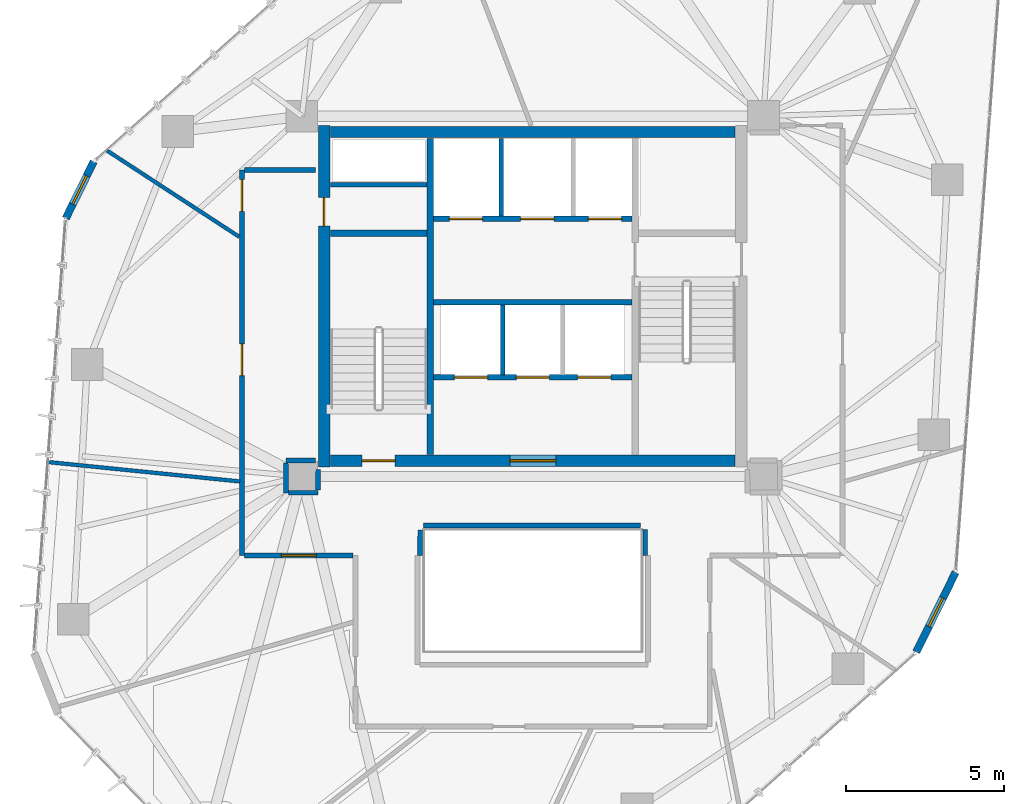
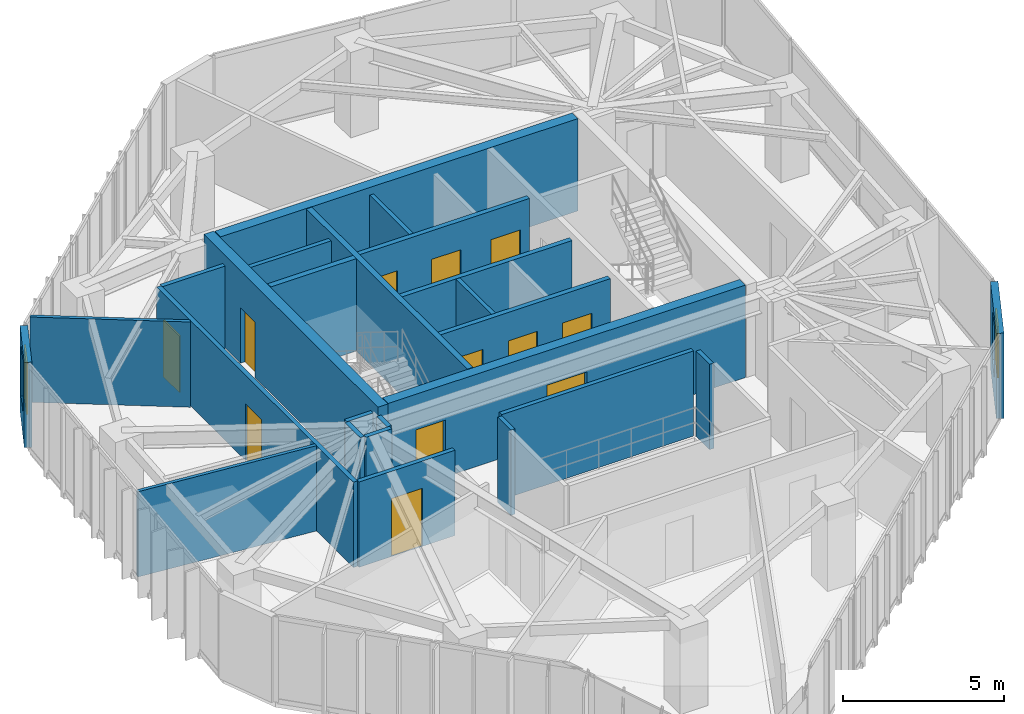
# One storey, part 16 of 19: 25 walls, 12 doors, 2 windows, 14 openings.
"""IFC4 building model written with IfcOpenShell, lengths in metres."""

from ifc_helpers import new_model, si_unit, direction, frame, frame_2d, origin, place, context, subcontext, project, spatial, rectangle, extrude, source, transform, mapped, material, layer, layer_set, type_object, type_shapes, element, fill, save


model = new_model("IFC4")

# Units and contexts
model_context = context("Model", 3, precision=1e-05, world=origin(), true_north=direction((0.0, 1.0)))
body_context = subcontext(model_context, "Body", "Model", "MODEL_VIEW")
ifc_project = project(units=[si_unit("LENGTHUNIT", "METRE"), si_unit("AREAUNIT", "SQUARE_METRE"), si_unit("VOLUMEUNIT", "CUBIC_METRE"), si_unit("PLANEANGLEUNIT", "RADIAN"), si_unit("MASSUNIT", "GRAM", prefix="KILO")], contexts=[model_context])

# Site, building, storey
site_placement = place(None, origin())
site = spatial("IfcSite", under=ifc_project, at=site_placement, CompositionType="ELEMENT")
building_placement = place(site_placement, origin())
building = spatial("IfcBuilding", under=site, at=building_placement, Name="Talar Marvaseh", CompositionType="ELEMENT")
storey_placement = place(building_placement, frame((0.0, 0.0, 222.199951171875)))
storey = spatial("IfcBuildingStorey", under=building, at=storey_placement, Name="L58", CompositionType="ELEMENT", Elevation=222.199951171875)

# Wall, opening, window
ifc_material_1 = material(Name="Precast concrete C45/55", Category="concrete")
ifc_layer_1 = layer(ifc_material_1, 0.239990234375)
ifc_layer_set_1 = layer_set([ifc_layer_1], Name="Precast concrete C45/55")
wall_type_1 = type_object("IfcWallType", Name="Chamfered Hexagonal Corner Pier Wall Z3 240", PredefinedType="SOLIDWALL", material=ifc_layer_set_1)
wall_1_placement = place(storey_placement, frame((11.2294921875, 33.667236328125, 0.0), z_axis=(0.0, 0.0, 1.0), x_axis=(0.442185041508, 0.896923847975, 0.0)))
wall_1 = element("IfcWall", 1, at=wall_1_placement, inside=storey, type_object=wall_type_1, Name="L58 Chamfered Corner Limestone Pier 3", PredefinedType="SOLIDWALL", context=body_context, shape_type="SweptSolid", body=[
    extrude(rectangle(XDim=2.003173828125, YDim=0.239990234375, at=frame_2d((1.00146484375, 0.0))), origin(), (0.0, 0.0, 1.0), 3.22998046875),
])
opening_1_placement = place(wall_1_placement, frame((0.501953125, 0.0, 0.89990234375)))
opening_1 = element("IfcOpeningElement", 2, at=opening_1_placement, cuts=wall_1, Name="Opening WN-CHM10", PredefinedType="OPENING", context=body_context, shape_type="SweptSolid", body=[
    extrude(rectangle(XDim=1.0, YDim=1.949951171875, at=frame_2d((0.5, 0.97509765625))), frame((0.0, 0.1298828125, 0.0), z_axis=(0.0, -1.0, 0.0), x_axis=(1.0, 0.0, 0.0)), (0.0, 0.0, 1.0), 0.260009765625),
])
ifc_material_2 = material(Name="Laminated Low-E Solar Glass", Category="glass")
window_type = type_object("IfcWindowType", Name="Zone 3 Chamfered Corner Slot Window 1000x1950", PartitioningType="SINGLE_PANEL", PredefinedType="WINDOW", material=ifc_material_2)
shared_shape_1 = source(origin(), body_context, "Body", "SweptSolid", [
    extrude(rectangle(XDim=1.0, YDim=1.949951171875, at=frame_2d((0.5, 0.97509765625))), frame((0.0, 0.030029296875, 0.0), z_axis=(0.0, -1.0, 0.0), x_axis=(1.0, 0.0, 0.0)), (0.0, 0.0, 1.0), 0.06005859375),
])
type_shapes(window_type, [shared_shape_1])
window_1_placement = place(opening_1_placement, origin())
window_1 = element("IfcWindow", 3, at=window_1_placement, inside=storey, type_object=window_type, Name="L58 Chamfered Corner Slot Window", OverallHeight=1.949951171875, OverallWidth=1.0, PartitioningType="SINGLE_PANEL", PredefinedType="WINDOW", context=body_context, shape_type="MappedRepresentation", body=[
    mapped(shared_shape_1, transform((0.0, 0.0, 0.0), x_axis=(1.0, 0.0, 0.0), y_axis=(0.0, 1.0, 0.0), z_axis=(0.0, 0.0, 1.0), scale=1.0)),
])
fill(opening_1, window_1)

wall_2_placement = place(storey_placement, frame((39.37646484375, 22.472900390625, 0.0), z_axis=(0.0, 0.0, 1.0), x_axis=(-0.442281017176, -0.896876525418, 0.0)))
wall_2 = element("IfcWall", 4, at=wall_2_placement, inside=storey, type_object=wall_type_1, Name="L58 Chamfered Corner Limestone Pier 6", PredefinedType="SOLIDWALL", context=body_context, shape_type="SweptSolid", body=[
    extrude(rectangle(XDim=2.815185546875, YDim=0.239990234375, at=frame_2d((1.40771484375, 0.0))), origin(), (0.0, 0.0, 1.0), 3.22998046875),
])
opening_2_placement = place(wall_2_placement, frame((0.907958984375, 0.0, 0.89990234375)))
opening_2 = element("IfcOpeningElement", 5, at=opening_2_placement, cuts=wall_2, Name="Opening WN-CHM10", PredefinedType="OPENING", context=body_context, shape_type="SweptSolid", body=[
    extrude(rectangle(XDim=1.0, YDim=1.949951171875, at=frame_2d((0.5, 0.97509765625))), frame((0.0, 0.1298828125, 0.0), z_axis=(0.0, -1.0, 0.0), x_axis=(1.0, 0.0, 0.0)), (0.0, 0.0, 1.0), 0.260009765625),
])
window_2_placement = place(opening_2_placement, origin())
window_2 = element("IfcWindow", 6, at=window_2_placement, inside=storey, type_object=window_type, Name="L58 Chamfered Corner Slot Window", OverallHeight=1.949951171875, OverallWidth=1.0, PartitioningType="SINGLE_PANEL", PredefinedType="WINDOW", context=body_context, shape_type="MappedRepresentation", body=[
    mapped(shared_shape_1, transform((0.0, 0.0, 0.0), x_axis=(1.0, 0.0, 0.0), y_axis=(0.0, 1.0, 0.0), z_axis=(0.0, 0.0, 1.0), scale=1.0)),
])
fill(opening_2, window_2)

# Wall
ifc_material_3 = material(Name="Gypsum Board Partition Assembly")
ifc_layer_2 = layer(ifc_material_3, 0.155029296875)
ifc_layer_set_2 = layer_set([ifc_layer_2], Name="Gypsum Board Partition Assembly")
wall_type_2 = type_object("IfcWallType", Name="Corridor Fire-Rated Acoustic Partition 155", PredefinedType="PARTITIONING", material=ifc_layer_set_2)
wall_3_placement = place(storey_placement, frame((19.60009765625, 34.72998046875, 0.0), z_axis=(0.0, 0.0, 1.0), x_axis=(1.0, 0.0, 0.0)))
element("IfcWall", 7, at=wall_3_placement, inside=storey, type_object=wall_type_2, Name="L58 Core BOH Partition", PredefinedType="PARTITIONING", context=body_context, shape_type="SweptSolid", body=[
    extrude(rectangle(XDim=3.059814453125, YDim=0.155029296875, at=frame_2d((1.52978515625, 0.0))), origin(), (0.0, 0.0, 1.0), 3.22998046875),
])

# Wall, openings, doors
wall_4_placement = place(storey_placement, frame((16.800048828125, 23.0, 0.0), z_axis=(0.0, 0.0, 1.0), x_axis=(0.0, 1.0, 0.0)))
wall_4 = element("IfcWall", 8, at=wall_4_placement, inside=storey, type_object=wall_type_2, Name="L58 Interior Partition Wall", PredefinedType="PARTITIONING", context=body_context, shape_type="SweptSolid", body=[
    extrude(rectangle(XDim=12.199951171875, YDim=0.155029296875, at=frame_2d((6.10009765625, 0.0))), origin(), (0.0, 0.0, 1.0), 3.22998046875),
])
opening_3_placement = place(wall_4_placement, frame((10.891845703125, 0.0, 0.0)))
opening_3 = element("IfcOpeningElement", 9, at=opening_3_placement, cuts=wall_4, Name="Opening DR-RM100", PredefinedType="OPENING", context=body_context, shape_type="SweptSolid", body=[
    extrude(rectangle(XDim=1.0, YDim=2.14990234375, at=frame_2d((0.5, 1.074951171875))), frame((0.0, 0.08740234375, 0.0), z_axis=(0.0, -1.0, 0.0), x_axis=(1.0, 0.0, 0.0)), (0.0, 0.0, 1.0), 0.175048828125),
])
opening_4_placement = place(wall_4_placement, frame((5.697021484375, 0.0, 0.0)))
opening_4 = element("IfcOpeningElement", 10, at=opening_4_placement, cuts=wall_4, Name="Opening DR-RM100", PredefinedType="OPENING", context=body_context, shape_type="SweptSolid", body=[
    extrude(rectangle(XDim=1.0, YDim=2.14990234375, at=frame_2d((0.5, 1.074951171875))), frame((0.0, 0.08740234375, 0.0), z_axis=(0.0, -1.0, 0.0), x_axis=(1.0, 0.0, 0.0)), (0.0, 0.0, 1.0), 0.175048828125),
])
ifc_material_4 = material(Name="Acoustic Engineered Oak Timber", Category="wood")
door_type_1 = type_object("IfcDoorType", Name="Corridor Fire-Rated Gallery Door 1000x2150", OperationType="NOTDEFINED", PredefinedType="DOOR", material=ifc_material_4)
shared_shape_2 = source(origin(), body_context, "Body", "SweptSolid", [
    extrude(rectangle(XDim=1.0, YDim=2.14990234375, at=frame_2d((0.5, 1.074951171875))), frame((0.0, 0.02490234375, 0.0), z_axis=(0.0, -1.0, 0.0), x_axis=(1.0, 0.0, 0.0)), (0.0, 0.0, 1.0), 0.050048828125),
])
type_shapes(door_type_1, [shared_shape_2])
door_1_placement = place(opening_3_placement, origin())
door_1 = element("IfcDoor", 11, at=door_1_placement, inside=storey, type_object=door_type_1, Name="L58 Digital Paleography Studio Door", OperationType="SINGLE_SWING_LEFT", OverallHeight=2.14990234375, OverallWidth=1.0, PredefinedType="DOOR", context=body_context, shape_type="MappedRepresentation", body=[
    mapped(shared_shape_2, transform((0.0, 0.0, 0.0), x_axis=(1.0, 0.0, 0.0), y_axis=(0.0, 1.0, 0.0), z_axis=(0.0, 0.0, 1.0), scale=1.0)),
])
fill(opening_3, door_1)
door_2_placement = place(opening_4_placement, origin())
door_2 = element("IfcDoor", 12, at=door_2_placement, inside=storey, type_object=door_type_1, Name="L58 Quiet Research Study Door", OperationType="SINGLE_SWING_RIGHT", OverallHeight=2.14990234375, OverallWidth=1.0, PredefinedType="DOOR", context=body_context, shape_type="MappedRepresentation", body=[
    mapped(shared_shape_2, transform((0.0, 0.0, 0.0), x_axis=(1.0, 0.0, 0.0), y_axis=(0.0, 1.0, 0.0), z_axis=(0.0, 0.0, 1.0), scale=1.0)),
])
fill(opening_4, door_2)

# Wall, opening, door
wall_5_placement = place(storey_placement, frame((20.31640625, 23.0, 0.0), z_axis=(0.0, 0.0, 1.0), x_axis=(-1.0, 0.0, 0.0)))
wall_5 = element("IfcWall", 13, at=wall_5_placement, inside=storey, type_object=wall_type_2, Name="L58 Interior Partition Wall", PredefinedType="PARTITIONING", context=body_context, shape_type="SweptSolid", body=[
    extrude(rectangle(XDim=3.432861328125, YDim=0.155029296875, at=frame_2d((1.71630859375, 0.0))), origin(), (0.0, 0.0, 1.0), 3.22998046875),
])
opening_5_placement = place(wall_5_placement, frame((1.16650390625, 0.0, 0.0)))
opening_5 = element("IfcOpeningElement", 14, at=opening_5_placement, cuts=wall_5, Name="Opening DR-RM110", PredefinedType="OPENING", context=body_context, shape_type="SweptSolid", body=[
    extrude(rectangle(XDim=1.10009765625, YDim=2.199951171875, at=frame_2d((0.550048828125, 1.10009765625))), frame((0.0, 0.08740234375, 0.0), z_axis=(0.0, -1.0, 0.0), x_axis=(1.0, 0.0, 0.0)), (0.0, 0.0, 1.0), 0.175048828125),
])
door_type_2 = type_object("IfcDoorType", Name="Assembly and Reading Hall Door 1100x2200", OperationType="NOTDEFINED", PredefinedType="DOOR", material=ifc_material_4)
shared_shape_3 = source(origin(), body_context, "Body", "SweptSolid", [
    extrude(rectangle(XDim=1.10009765625, YDim=2.199951171875, at=frame_2d((0.550048828125, 1.10009765625))), frame((0.0, 0.02490234375, 0.0), z_axis=(0.0, -1.0, 0.0), x_axis=(1.0, 0.0, 0.0)), (0.0, 0.0, 1.0), 0.050048828125),
])
type_shapes(door_type_2, [shared_shape_3])
door_3_placement = place(opening_5_placement, origin())
door_3 = element("IfcDoor", 15, at=door_3_placement, inside=storey, type_object=door_type_2, Name="L58 Gallery Concierge Reception Door", OperationType="SINGLE_SWING_LEFT", OverallHeight=2.199951171875, OverallWidth=1.10009765625, PredefinedType="DOOR", context=body_context, shape_type="MappedRepresentation", body=[
    mapped(shared_shape_3, transform((0.0, 0.0, 0.0), x_axis=(1.0, 0.0, 0.0), y_axis=(0.0, 1.0, 0.0), z_axis=(0.0, 0.0, 1.0), scale=1.0)),
])
fill(opening_5, door_3)

# Walls
wall_6_placement = place(storey_placement, frame((16.883544921875, 35.199951171875, 0.0), z_axis=(0.0, 0.0, 1.0), x_axis=(1.0, 0.0, 0.0)))
element("IfcWall", 16, at=wall_6_placement, inside=storey, type_object=wall_type_2, Name="L58 Interior Partition Wall", PredefinedType="PARTITIONING", context=body_context, shape_type="SweptSolid", body=[
    extrude(rectangle(XDim=2.246337890625, YDim=0.155029296875, at=frame_2d((1.123046875, 0.0))), origin(), (0.0, 0.0, 1.0), 3.22998046875),
])
wall_7_placement = place(storey_placement, frame((19.1298828125, 26.0146484375, 0.0), z_axis=(0.0, 0.0, 1.0), x_axis=(-0.99999026157, -0.004413248818, 0.0)))
element("IfcWall", 17, at=wall_7_placement, inside=storey, type_object=wall_type_2, Name="L58 Interior Partition Wall", PredefinedType="PARTITIONING", context=body_context, shape_type="SweptSolid", body=[
    extrude(rectangle(XDim=0.9404296875, YDim=0.155029296875, at=frame_2d((0.47021484375, 0.0))), origin(), (0.0, 0.0, 1.0), 3.22998046875),
])
wall_8_placement = place(storey_placement, frame((18.189697265625, 25.927001953125, 0.0), z_axis=(0.0, 0.0, 1.0), x_axis=(0.002078997586, -0.999997838882, 0.0)))
element("IfcWall", 18, at=wall_8_placement, inside=storey, type_object=wall_type_2, Name="L58 Interior Partition Wall", PredefinedType="PARTITIONING", context=body_context, shape_type="SweptSolid", body=[
    extrude(rectangle(XDim=0.939453125, YDim=0.155029296875, at=frame_2d((0.4697265625, 0.0))), origin(), (0.0, 0.0, 1.0), 3.22998046875),
])
wall_9_placement = place(storey_placement, frame((18.275146484375, 24.987548828125, 0.0), z_axis=(0.0, 0.0, 1.0), x_axis=(0.999999692748, 0.0007839036, 0.0)))
element("IfcWall", 19, at=wall_9_placement, inside=storey, type_object=wall_type_2, Name="L58 Interior Partition Wall", PredefinedType="PARTITIONING", context=body_context, shape_type="SweptSolid", body=[
    extrude(rectangle(XDim=0.934326171875, YDim=0.155029296875, at=frame_2d((0.46728515625, 0.0))), origin(), (0.0, 0.0, 1.0), 3.22998046875),
])
wall_10_placement = place(storey_placement, frame((19.210205078125, 25.072021484375, 0.0), z_axis=(0.0, 0.0, 1.0), x_axis=(0.007420945932, 0.999972464402, 0.0)))
element("IfcWall", 20, at=wall_10_placement, inside=storey, type_object=wall_type_2, Name="L58 Interior Partition Wall", PredefinedType="PARTITIONING", context=body_context, shape_type="SweptSolid", body=[
    extrude(rectangle(XDim=0.657958984375, YDim=0.155029296875, at=frame_2d((0.3291015625, 0.0))), origin(), (0.0, 0.0, 1.0), 3.22998046875),
])
wall_11_placement = place(storey_placement, frame((29.415771484375, 23.959228515625, 0.0), z_axis=(0.0, 0.0, 1.0), x_axis=(-0.999998607957, -0.001668557745, 0.0)))
element("IfcWall", 21, at=wall_11_placement, inside=storey, type_object=wall_type_2, Name="L58 Interior Partition Wall", PredefinedType="PARTITIONING", context=body_context, shape_type="SweptSolid", body=[
    extrude(rectangle(XDim=6.876953125, YDim=0.155029296875, at=frame_2d((3.4384765625, 0.0))), origin(), (0.0, 0.0, 1.0), 3.22998046875),
])
wall_12_placement = place(storey_placement, frame((22.44091796875, 23.815673828125, 0.0), z_axis=(0.0, 0.0, 1.0), x_axis=(-0.001197245475, -0.999999283301, 0.0)))
element("IfcWall", 22, at=wall_12_placement, inside=storey, type_object=wall_type_2, Name="L58 Interior Partition Wall", PredefinedType="PARTITIONING", context=body_context, shape_type="SweptSolid", body=[
    extrude(rectangle(XDim=0.815673828125, YDim=0.155029296875, at=frame_2d((0.40771484375, 0.0))), origin(), (0.0, 0.0, 1.0), 3.22998046875),
])
wall_13_placement = place(storey_placement, frame((29.56005859375, 23.0, 0.0), z_axis=(0.0, 0.0, 1.0), x_axis=(-0.003817887006, 0.999992711843, 0.0)))
element("IfcWall", 23, at=wall_13_placement, inside=storey, type_object=wall_type_2, Name="L58 Interior Partition Wall", PredefinedType="PARTITIONING", context=body_context, shape_type="SweptSolid", body=[
    extrude(rectangle(XDim=0.831298828125, YDim=0.155029296875, at=frame_2d((0.41552734375, 0.0))), origin(), (0.0, 0.0, 1.0), 3.22998046875),
])
ifc_layer_3 = layer(ifc_material_3, 0.1201171875)
ifc_layer_set_3 = layer_set([ifc_layer_3], Name="Gypsum Board Partition Assembly")
wall_type_3 = type_object("IfcWallType", Name="Demountable Studio Room Partition 120", PredefinedType="PARTITIONING", material=ifc_layer_set_3)
wall_14_placement = place(storey_placement, frame((10.686279296875, 25.95751953125, 0.0), z_axis=(0.0, 0.0, 1.0), x_axis=(0.99493609392, -0.100509546881, 0.0)))
element("IfcWall", 24, at=wall_14_placement, inside=storey, type_object=wall_type_3, Name="L58 Interior Partition Wall", PredefinedType="PARTITIONING", context=body_context, shape_type="SweptSolid", body=[
    extrude(rectangle(XDim=6.079833984375, YDim=0.1201171875, at=frame_2d((3.0400390625, 0.0))), origin(), (0.0, 0.0, 1.0), 3.22998046875),
])
wall_15_placement = place(storey_placement, frame((16.716552734375, 33.08447265625, 0.0), z_axis=(0.0, 0.0, 1.0), x_axis=(-0.837665077013, 0.546184235175, 0.0)))
element("IfcWall", 25, at=wall_15_placement, inside=storey, type_object=wall_type_3, Name="L58 Interior Partition Wall", PredefinedType="PARTITIONING", context=body_context, shape_type="SweptSolid", body=[
    extrude(rectangle(XDim=4.991943359375, YDim=0.1201171875, at=frame_2d((2.49609375, 0.0))), origin(), (0.0, 0.0, 1.0), 3.22998046875),
])
ifc_layer_4 = layer(ifc_material_1, 0.14501953125)
ifc_layer_set_4 = layer_set([ifc_layer_4], Name="Precast concrete C45/55")
wall_type_4 = type_object("IfcWallType", Name="Fire-Rated Lift Divider Wall 145", PredefinedType="SOLIDWALL", material=ifc_layer_set_4)
wall_16_placement = place(storey_placement, frame((25.0, 33.743408203125, 0.0), z_axis=(0.0, 0.0, 1.0), x_axis=(0.0, 1.0, 0.0)))
element("IfcWall", 26, at=wall_16_placement, inside=storey, type_object=wall_type_4, Name="L58 FFL-1/FFL-2 Divider", PredefinedType="SOLIDWALL", context=body_context, shape_type="SweptSolid", body=[
    extrude(rectangle(XDim=2.45654296875, YDim=0.14501953125, at=frame_2d((1.228271484375, 0.0))), origin(), (0.0, 0.0, 1.0), 3.22998046875),
])
wall_17_placement = place(storey_placement, frame((25.050048828125, 28.719970703125, 0.0), z_axis=(0.0, 0.0, 1.0), x_axis=(0.0, 1.0, 0.0)))
element("IfcWall", 27, at=wall_17_placement, inside=storey, type_object=wall_type_4, Name="L58 PL-H1/PL-H2 Divider", PredefinedType="SOLIDWALL", context=body_context, shape_type="SweptSolid", body=[
    extrude(rectangle(XDim=2.20654296875, YDim=0.14501953125, at=frame_2d((1.103271484375, 0.0))), origin(), (0.0, 0.0, 1.0), 3.22998046875),
])

# Wall, openings, doors
ifc_layer_5 = layer(ifc_material_1, 0.175048828125)
ifc_layer_set_5 = layer_set([ifc_layer_5], Name="Precast concrete C45/55")
wall_type_5 = type_object("IfcWallType", Name="Fire-Rated Lift Hoistway Enclosure Wall 175", PredefinedType="SOLIDWALL", material=ifc_layer_set_5)
wall_18_placement = place(storey_placement, frame((22.860107421875, 33.64990234375, 0.0), z_axis=(0.0, 0.0, 1.0), x_axis=(1.0, 0.0, 0.0)))
wall_18 = element("IfcWall", 28, at=wall_18_placement, inside=storey, type_object=wall_type_5, Name="L58 Firefighting and Service Lift Front Wall", PredefinedType="SOLIDWALL", context=body_context, shape_type="SweptSolid", body=[
    extrude(rectangle(XDim=6.27978515625, YDim=0.175048828125, at=frame_2d((3.139892578125, 0.0))), origin(), (0.0, 0.0, 1.0), 3.22998046875),
])
opening_6_placement = place(wall_18_placement, frame((0.5, 0.0, 0.0)))
opening_6 = element("IfcOpeningElement", 29, at=opening_6_placement, cuts=wall_18, Name="Opening LD-FF1", PredefinedType="OPENING", context=body_context, shape_type="SweptSolid", body=[
    extrude(rectangle(XDim=1.050048828125, YDim=2.14990234375, at=frame_2d((0.52490234375, 1.074951171875))), frame((0.0, 0.09765625, 0.0), z_axis=(0.0, -1.0, 0.0), x_axis=(1.0, 0.0, 0.0)), (0.0, 0.0, 1.0), 0.195068359375),
])
opening_7_placement = place(wall_18_placement, frame((2.760009765625, 0.0, 0.0)))
opening_7 = element("IfcOpeningElement", 30, at=opening_7_placement, cuts=wall_18, Name="Opening LD-FF2", PredefinedType="OPENING", context=body_context, shape_type="SweptSolid", body=[
    extrude(rectangle(XDim=1.050048828125, YDim=2.14990234375, at=frame_2d((0.52490234375, 1.074951171875))), frame((0.0, 0.09765625, 0.0), z_axis=(0.0, -1.0, 0.0), x_axis=(1.0, 0.0, 0.0)), (0.0, 0.0, 1.0), 0.195068359375),
])
opening_8_placement = place(wall_18_placement, frame((4.89990234375, 0.0, 0.0)))
opening_8 = element("IfcOpeningElement", 31, at=opening_8_placement, cuts=wall_18, Name="Opening LD-SV1", PredefinedType="OPENING", context=body_context, shape_type="SweptSolid", body=[
    extrude(rectangle(XDim=1.050048828125, YDim=2.14990234375, at=frame_2d((0.52490234375, 1.074951171875))), frame((0.0, 0.09765625, 0.0), z_axis=(0.0, -1.0, 0.0), x_axis=(1.0, 0.0, 0.0)), (0.0, 0.0, 1.0), 0.195068359375),
])
ifc_material_5 = material(Name="Stainless Steel Grade 316", Category="steel")
door_type_3 = type_object("IfcDoorType", Name="Automatic Sliding Lift Landing Door 1050x2150", OperationType="NOTDEFINED", PredefinedType="DOOR", material=ifc_material_5)
shared_shape_4 = source(origin(), body_context, "Body", "SweptSolid", [
    extrude(rectangle(XDim=1.050048828125, YDim=2.14990234375, at=frame_2d((0.52490234375, 1.074951171875))), frame((0.0, 0.02490234375, 0.0), z_axis=(0.0, -1.0, 0.0), x_axis=(1.0, 0.0, 0.0)), (0.0, 0.0, 1.0), 0.050048828125),
])
type_shapes(door_type_3, [shared_shape_4])
door_4_placement = place(opening_6_placement, origin())
door_4 = element("IfcDoor", 32, at=door_4_placement, inside=storey, type_object=door_type_3, Name="L58 Lift FFL-1 Sliding Landing Door", OperationType="SLIDING_TO_LEFT", OverallHeight=2.14990234375, OverallWidth=1.050048828125, PredefinedType="DOOR", context=body_context, shape_type="MappedRepresentation", body=[
    mapped(shared_shape_4, transform((0.0, 0.0, 0.0), x_axis=(1.0, 0.0, 0.0), y_axis=(0.0, 1.0, 0.0), z_axis=(0.0, 0.0, 1.0), scale=1.0)),
])
fill(opening_6, door_4)
door_5_placement = place(opening_7_placement, origin())
door_5 = element("IfcDoor", 33, at=door_5_placement, inside=storey, type_object=door_type_3, Name="L58 Lift FFL-2 Sliding Landing Door", OperationType="SLIDING_TO_LEFT", OverallHeight=2.14990234375, OverallWidth=1.050048828125, PredefinedType="DOOR", context=body_context, shape_type="MappedRepresentation", body=[
    mapped(shared_shape_4, transform((0.0, 0.0, 0.0), x_axis=(1.0, 0.0, 0.0), y_axis=(0.0, 1.0, 0.0), z_axis=(0.0, 0.0, 1.0), scale=1.0)),
])
fill(opening_7, door_5)
door_6_placement = place(opening_8_placement, origin())
door_6 = element("IfcDoor", 34, at=door_6_placement, inside=storey, type_object=door_type_3, Name="L58 Lift SVL-1 Sliding Landing Door", OperationType="SLIDING_TO_LEFT", OverallHeight=2.14990234375, OverallWidth=1.050048828125, PredefinedType="DOOR", context=body_context, shape_type="MappedRepresentation", body=[
    mapped(shared_shape_4, transform((0.0, 0.0, 0.0), x_axis=(1.0, 0.0, 0.0), y_axis=(0.0, 1.0, 0.0), z_axis=(0.0, 0.0, 1.0), scale=1.0)),
])
fill(opening_8, door_6)

# Wall
wall_19_placement = place(storey_placement, frame((22.860107421875, 31.02001953125, 0.0), z_axis=(0.0, 0.0, 1.0), x_axis=(1.0, 0.0, 0.0)))
element("IfcWall", 35, at=wall_19_placement, inside=storey, type_object=wall_type_5, Name="L58 Firefighting Lobby South Smoke Wall", PredefinedType="SOLIDWALL", context=body_context, shape_type="SweptSolid", body=[
    extrude(rectangle(XDim=6.27978515625, YDim=0.175048828125, at=frame_2d((3.139892578125, 0.0))), origin(), (0.0, 0.0, 1.0), 3.22998046875),
])

# Wall, openings, doors
wall_20_placement = place(storey_placement, frame((22.860107421875, 28.639892578125, 0.0), z_axis=(0.0, 0.0, 1.0), x_axis=(1.0, 0.0, 0.0)))
wall_20 = element("IfcWall", 36, at=wall_20_placement, inside=storey, type_object=wall_type_5, Name="L58 High-Rise Lift Bank Front Wall", PredefinedType="SOLIDWALL", context=body_context, shape_type="SweptSolid", body=[
    extrude(rectangle(XDim=6.27978515625, YDim=0.175048828125, at=frame_2d((3.139892578125, 0.0))), origin(), (0.0, 0.0, 1.0), 3.22998046875),
])
opening_9_placement = place(wall_20_placement, frame((0.659912109375, 0.0, 0.0)))
opening_9 = element("IfcOpeningElement", 37, at=opening_9_placement, cuts=wall_20, Name="Opening LD-PLH1", PredefinedType="OPENING", context=body_context, shape_type="SweptSolid", body=[
    extrude(rectangle(XDim=1.050048828125, YDim=2.14990234375, at=frame_2d((0.52490234375, 1.074951171875))), frame((0.0, 0.09765625, 0.0), z_axis=(0.0, -1.0, 0.0), x_axis=(1.0, 0.0, 0.0)), (0.0, 0.0, 1.0), 0.195068359375),
])
opening_10_placement = place(wall_20_placement, frame((2.6201171875, 0.0, 0.0)))
opening_10 = element("IfcOpeningElement", 38, at=opening_10_placement, cuts=wall_20, Name="Opening LD-PLH2", PredefinedType="OPENING", context=body_context, shape_type="SweptSolid", body=[
    extrude(rectangle(XDim=1.050048828125, YDim=2.14990234375, at=frame_2d((0.52490234375, 1.074951171875))), frame((0.0, 0.09765625, 0.0), z_axis=(0.0, -1.0, 0.0), x_axis=(1.0, 0.0, 0.0)), (0.0, 0.0, 1.0), 0.195068359375),
])
opening_11_placement = place(wall_20_placement, frame((4.56005859375, 0.0, 0.0)))
opening_11 = element("IfcOpeningElement", 39, at=opening_11_placement, cuts=wall_20, Name="Opening LD-PLH3", PredefinedType="OPENING", context=body_context, shape_type="SweptSolid", body=[
    extrude(rectangle(XDim=1.050048828125, YDim=2.14990234375, at=frame_2d((0.52490234375, 1.074951171875))), frame((0.0, 0.09765625, 0.0), z_axis=(0.0, -1.0, 0.0), x_axis=(1.0, 0.0, 0.0)), (0.0, 0.0, 1.0), 0.195068359375),
])
door_7_placement = place(opening_9_placement, origin())
door_7 = element("IfcDoor", 40, at=door_7_placement, inside=storey, type_object=door_type_3, Name="L58 Lift PL-H1 Sliding Landing Door", OperationType="SLIDING_TO_LEFT", OverallHeight=2.14990234375, OverallWidth=1.050048828125, PredefinedType="DOOR", context=body_context, shape_type="MappedRepresentation", body=[
    mapped(shared_shape_4, transform((0.0, 0.0, 0.0), x_axis=(1.0, 0.0, 0.0), y_axis=(0.0, 1.0, 0.0), z_axis=(0.0, 0.0, 1.0), scale=1.0)),
])
fill(opening_9, door_7)
door_8_placement = place(opening_10_placement, origin())
door_8 = element("IfcDoor", 41, at=door_8_placement, inside=storey, type_object=door_type_3, Name="L58 Lift PL-H2 Sliding Landing Door", OperationType="SLIDING_TO_LEFT", OverallHeight=2.14990234375, OverallWidth=1.050048828125, PredefinedType="DOOR", context=body_context, shape_type="MappedRepresentation", body=[
    mapped(shared_shape_4, transform((0.0, 0.0, 0.0), x_axis=(1.0, 0.0, 0.0), y_axis=(0.0, 1.0, 0.0), z_axis=(0.0, 0.0, 1.0), scale=1.0)),
])
fill(opening_10, door_8)
door_9_placement = place(opening_11_placement, origin())
door_9 = element("IfcDoor", 42, at=door_9_placement, inside=storey, type_object=door_type_3, Name="L58 Lift PL-H3 Sliding Landing Door", OperationType="SLIDING_TO_LEFT", OverallHeight=2.14990234375, OverallWidth=1.050048828125, PredefinedType="DOOR", context=body_context, shape_type="MappedRepresentation", body=[
    mapped(shared_shape_4, transform((0.0, 0.0, 0.0), x_axis=(1.0, 0.0, 0.0), y_axis=(0.0, 1.0, 0.0), z_axis=(0.0, 0.0, 1.0), scale=1.0)),
])
fill(opening_11, door_9)

# Walls
ifc_material_6 = material(Name="Concrete C50/60", Category="concrete")
ifc_layer_6 = layer(ifc_material_6, 0.199951171875)
ifc_layer_set_6 = layer_set([ifc_layer_6], Name="Concrete C50/60")
wall_type_6 = type_object("IfcWallType", Name="Stair Shaft Structural Concrete Shear Wall 200", PredefinedType="SHEAR", material=ifc_layer_set_6)
wall_21_placement = place(storey_placement, frame((22.760009765625, 26.199951171875, 0.0), z_axis=(0.0, 0.0, 1.0), x_axis=(0.0, 1.0, 0.0)))
element("IfcWall", 43, at=wall_21_placement, inside=storey, type_object=wall_type_6, Name="L58 Core West Stair Shear Wall", PredefinedType="SHEAR", context=body_context, shape_type="SweptSolid", body=[
    extrude(rectangle(XDim=10.0, YDim=0.199951171875, at=frame_2d((5.0, 0.0))), origin(), (0.0, 0.0, 1.0), 3.5),
])
wall_22_placement = place(storey_placement, frame((19.60009765625, 33.199951171875, 0.0), z_axis=(0.0, 0.0, 1.0), x_axis=(1.0, 0.0, 0.0)))
element("IfcWall", 44, at=wall_22_placement, inside=storey, type_object=wall_type_6, Name="L58 Stair ST-1 North Shear Wall", PredefinedType="SHEAR", context=body_context, shape_type="SweptSolid", body=[
    extrude(rectangle(XDim=3.059814453125, YDim=0.199951171875, at=frame_2d((1.52978515625, 0.0))), origin(), (0.0, 0.0, 1.0), 3.5),
])

# Wall, opening, door
ifc_layer_7 = layer(ifc_material_6, 0.360107421875)
ifc_layer_set_7 = layer_set([ifc_layer_7], Name="Concrete C50/60")
wall_type_7 = type_object("IfcWallType", Name="Upper Core Reinforced Concrete Shear Wall 360", PredefinedType="SHEAR", material=ifc_layer_set_7)
wall_23_placement = place(storey_placement, frame((19.39990234375, 25.800048828125, 0.0), z_axis=(0.0, 0.0, 1.0), x_axis=(0.0, 1.0, 0.0)))
wall_23 = element("IfcWall", 45, at=wall_23_placement, inside=storey, type_object=wall_type_7, Name="L58 West Core Shear Wall", PredefinedType="SHEAR", context=body_context, shape_type="SweptSolid", body=[
    extrude(rectangle(XDim=10.800048828125, YDim=0.360107421875, at=frame_2d((5.39990234375, 0.0))), origin(), (0.0, 0.0, 1.0), 3.5),
])
opening_12_placement = place(wall_23_placement, frame((7.6201171875, 0.0, 0.0)))
opening_12 = element("IfcOpeningElement", 46, at=opening_12_placement, cuts=wall_23, Name="Opening DR-BOH090", PredefinedType="OPENING", context=body_context, shape_type="SweptSolid", body=[
    extrude(rectangle(XDim=0.89990234375, YDim=2.10009765625, at=frame_2d((0.449951171875, 1.050048828125))), frame((0.0, 0.18994140625, 0.0), z_axis=(0.0, -1.0, 0.0), x_axis=(1.0, 0.0, 0.0)), (0.0, 0.0, 1.0), 0.380126953125),
])
ifc_material_7 = material(Name="Fire-Rated Steel Door Leaf", Category="steel")
door_type_4 = type_object("IfcDoorType", Name="Core Back-of-House Service Door 900x2100", OperationType="NOTDEFINED", PredefinedType="DOOR", material=ifc_material_7)
shared_shape_5 = source(origin(), body_context, "Body", "SweptSolid", [
    extrude(rectangle(XDim=0.89990234375, YDim=2.10009765625, at=frame_2d((0.449951171875, 1.050048828125))), frame((0.0, 0.02490234375, 0.0), z_axis=(0.0, -1.0, 0.0), x_axis=(1.0, 0.0, 0.0)), (0.0, 0.0, 1.0), 0.050048828125),
])
type_shapes(door_type_4, [shared_shape_5])
door_10_placement = place(opening_12_placement, origin())
door_10 = element("IfcDoor", 47, at=door_10_placement, inside=storey, type_object=door_type_4, Name="L58 Cleaner Core West Closet Door", OperationType="SINGLE_SWING_LEFT", OverallHeight=2.10009765625, OverallWidth=0.89990234375, PredefinedType="DOOR", context=body_context, shape_type="MappedRepresentation", body=[
    mapped(shared_shape_5, transform((0.0, 0.0, 0.0), x_axis=(1.0, 0.0, 0.0), y_axis=(0.0, 1.0, 0.0), z_axis=(0.0, 0.0, 1.0), scale=1.0)),
])
fill(opening_12, door_10)

# Wall
wall_24_placement = place(storey_placement, frame((19.60009765625, 36.39990234375, 0.0), z_axis=(0.0, 0.0, 1.0), x_axis=(1.0, 0.0, 0.0)))
element("IfcWall", 48, at=wall_24_placement, inside=storey, type_object=wall_type_7, Name="L58 North Core Shear Wall", PredefinedType="SHEAR", context=body_context, shape_type="SweptSolid", body=[
    extrude(rectangle(XDim=12.7998046875, YDim=0.360107421875, at=frame_2d((6.39990234375, 0.0))), origin(), (0.0, 0.0, 1.0), 3.5),
])

# Wall, openings, doors
wall_25_placement = place(storey_placement, frame((32.39990234375, 26.0, 0.0), z_axis=(0.0, 0.0, 1.0), x_axis=(-1.0, 0.0, 0.0)))
wall_25 = element("IfcWall", 49, at=wall_25_placement, inside=storey, type_object=wall_type_7, Name="L58 South Core Shear Wall", PredefinedType="SHEAR", context=body_context, shape_type="SweptSolid", body=[
    extrude(rectangle(XDim=12.7998046875, YDim=0.360107421875, at=frame_2d((6.39990234375, 0.0))), origin(), (0.0, 0.0, 1.0), 3.5),
])
opening_13_placement = place(wall_25_placement, frame((10.75, 0.0, 0.0)))
opening_13 = element("IfcOpeningElement", 50, at=opening_13_placement, cuts=wall_25, Name="Opening DR-ST105", PredefinedType="OPENING", context=body_context, shape_type="SweptSolid", body=[
    extrude(rectangle(XDim=1.050048828125, YDim=2.14990234375, at=frame_2d((0.52490234375, 1.074951171875))), frame((0.0, 0.18994140625, 0.0), z_axis=(0.0, -1.0, 0.0), x_axis=(1.0, 0.0, 0.0)), (0.0, 0.0, 1.0), 0.380126953125),
])
opening_14_placement = place(wall_25_placement, frame((5.669921875, 0.0, 0.0)))
opening_14 = element("IfcOpeningElement", 51, at=opening_14_placement, cuts=wall_25, Name="Opening DR-LBY145", PredefinedType="OPENING", context=body_context, shape_type="SweptSolid", body=[
    extrude(rectangle(XDim=1.449951171875, YDim=2.199951171875, at=frame_2d((0.72509765625, 1.10009765625))), frame((0.0, 0.18994140625, 0.0), z_axis=(0.0, -1.0, 0.0), x_axis=(1.0, 0.0, 0.0)), (0.0, 0.0, 1.0), 0.380126953125),
])
door_type_5 = type_object("IfcDoorType", Name="Protected Exit Stair Fire Door 1050x2150", OperationType="NOTDEFINED", PredefinedType="DOOR", material=ifc_material_7)
shared_shape_6 = source(origin(), body_context, "Body", "SweptSolid", [
    extrude(rectangle(XDim=1.050048828125, YDim=2.14990234375, at=frame_2d((0.52490234375, 1.074951171875))), frame((0.0, 0.02490234375, 0.0), z_axis=(0.0, -1.0, 0.0), x_axis=(1.0, 0.0, 0.0)), (0.0, 0.0, 1.0), 0.050048828125),
])
type_shapes(door_type_5, [shared_shape_6])
door_11_placement = place(opening_13_placement, origin())
door_11 = element("IfcDoor", 52, at=door_11_placement, inside=storey, type_object=door_type_5, Name="L58 Stair ST-1 Exit Door", OperationType="SINGLE_SWING_RIGHT", OverallHeight=2.14990234375, OverallWidth=1.050048828125, PredefinedType="DOOR", context=body_context, shape_type="MappedRepresentation", body=[
    mapped(shared_shape_6, transform((0.0, 0.0, 0.0), x_axis=(1.0, 0.0, 0.0), y_axis=(0.0, 1.0, 0.0), z_axis=(0.0, 0.0, 1.0), scale=1.0)),
])
fill(opening_13, door_11)
door_type_6 = type_object("IfcDoorType", Name="Core Lift Lobby Double Smoke Door 1450x2200", OperationType="NOTDEFINED", PredefinedType="DOOR", material=ifc_material_7)
shared_shape_7 = source(origin(), body_context, "Body", "SweptSolid", [
    extrude(rectangle(XDim=1.449951171875, YDim=2.199951171875, at=frame_2d((0.72509765625, 1.10009765625))), frame((0.0, 0.02490234375, 0.0), z_axis=(0.0, -1.0, 0.0), x_axis=(1.0, 0.0, 0.0)), (0.0, 0.0, 1.0), 0.050048828125),
])
type_shapes(door_type_6, [shared_shape_7])
door_12_placement = place(opening_14_placement, origin())
door_12 = element("IfcDoor", 53, at=door_12_placement, inside=storey, type_object=door_type_6, Name="L58 Passenger Lift Lobby Entrance Door", OperationType="DOUBLE_DOOR_SINGLE_SWING", OverallHeight=2.199951171875, OverallWidth=1.449951171875, PredefinedType="DOOR", context=body_context, shape_type="MappedRepresentation", body=[
    mapped(shared_shape_7, transform((0.0, 0.0, 0.0), x_axis=(1.0, 0.0, 0.0), y_axis=(0.0, 1.0, 0.0), z_axis=(0.0, 0.0, 1.0), scale=1.0)),
])
fill(opening_14, door_12)

save(model, "model.ifc")
